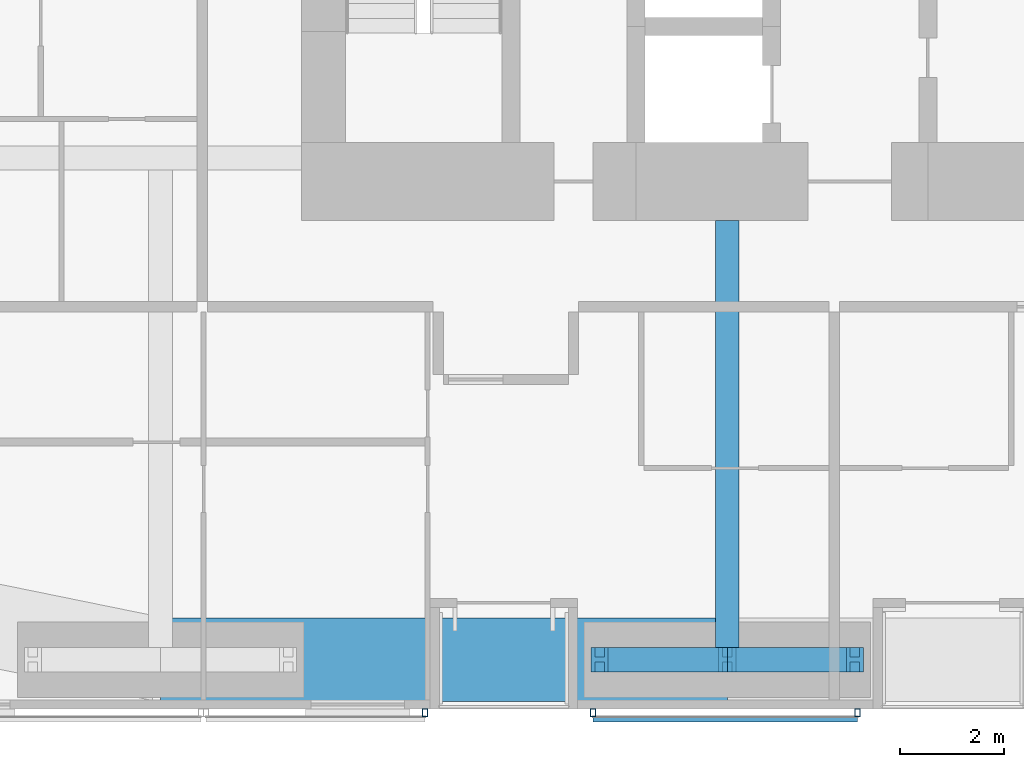
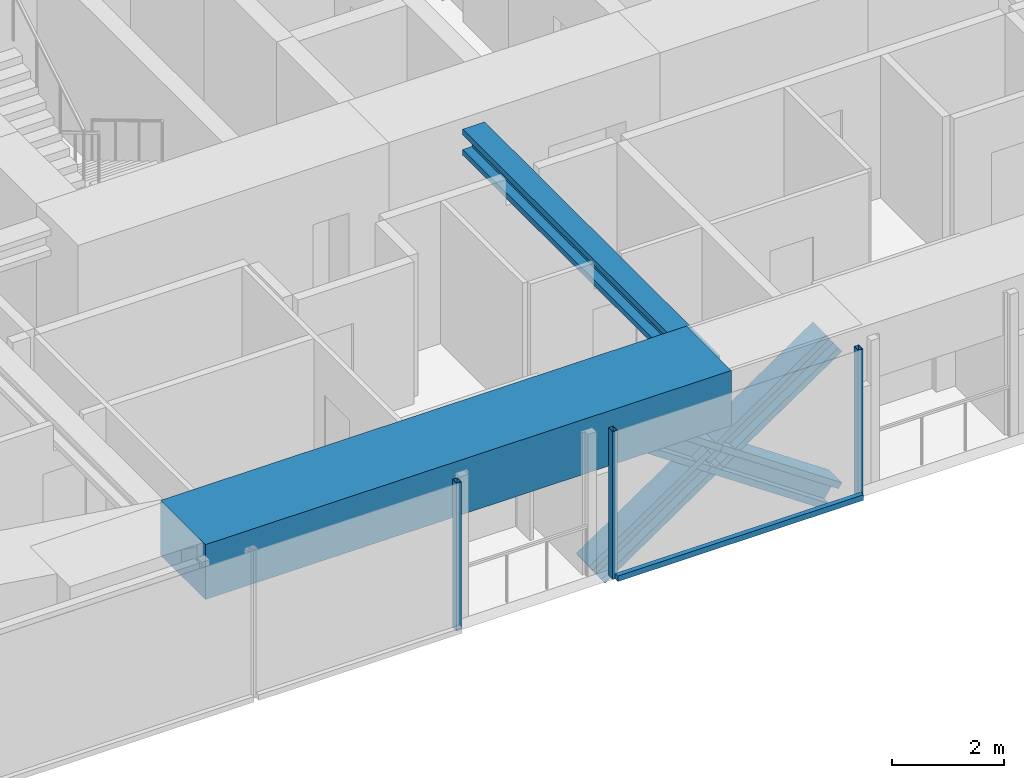
# One storey, part 4 of 24: 8 members, 2 beams, 2 elements without a shape of their own.
"""IFC4 building model written with IfcOpenShell, lengths in metres."""

from ifc_helpers import new_model, si_unit, direction, frame, origin, origin_2d, place, context, subcontext, project, spatial, rectangle, hollow_rectangle, i_section, extrude, material, material_profile, profile_set, type_object, element, aggregate, save


model = new_model("IFC4")

# Units and contexts
model_context = context("Model", 3, precision=1e-05, world=origin(), true_north=direction((0.0, 1.0)))
body_context = subcontext(model_context, "Body", "Model", "MODEL_VIEW")
ifc_project = project(units=[si_unit("LENGTHUNIT", "METRE"), si_unit("AREAUNIT", "SQUARE_METRE"), si_unit("VOLUMEUNIT", "CUBIC_METRE"), si_unit("PLANEANGLEUNIT", "RADIAN"), si_unit("MASSUNIT", "GRAM", prefix="KILO")], contexts=[model_context])

# Site, building, storey
site_placement = place(None, origin())
site = spatial("IfcSite", under=ifc_project, at=site_placement, CompositionType="ELEMENT")
building_placement = place(site_placement, origin())
building = spatial("IfcBuilding", under=site, at=building_placement, Name="Jalousie Tower", CompositionType="ELEMENT")
storey_placement = place(building_placement, frame((0.0, 0.0, 91.449951171875)))
storey = spatial("IfcBuildingStorey", under=building, at=storey_placement, Name="L24", CompositionType="ELEMENT", Elevation=91.449951171875)

# Beam
ifc_material_1 = material(Name="Steel ASTM A992 Grade 50", Category="steel")
ifc_material_profile_1 = material_profile(ifc_material_1, i_section(OverallWidth=0.45458984375, OverallDepth=0.569091796875, WebThickness=0.077880859375, FlangeThickness=0.124755859375, at=origin_2d()), Name="W14X730")
ifc_profile_set_1 = profile_set([ifc_material_profile_1], Name="Steel ASTM A992 Grade 50")
beam_type_1 = type_object("IfcBeamType", Name="LEAN COLLECTOR W14X730", PredefinedType="BEAM", material=ifc_profile_set_1)
beam_1_placement = place(storey_placement, frame((27.75, 0.949951171875, 2.825439453125), z_axis=(0.0, 1.0, 0.0), x_axis=(-1.0, 0.0, 0.0)))
element("IfcBeam", 1, at=beam_1_placement, inside=storey, type_object=beam_type_1, Name="Lean collector under L25", PredefinedType="BEAM", context=body_context, shape_type="SweptSolid", body=[
    extrude(i_section(OverallWidth=0.45458984375, OverallDepth=0.569091796875, WebThickness=0.077880859375, FlangeThickness=0.124755859375, at=origin_2d()), origin(), (0.0, 0.0, 1.0), 8.425048828125),
])

# Members
ifc_material_2 = material(Name="Steel ASTM A992 Grade 50", Category="steel")
ifc_material_profile_2 = material_profile(ifc_material_2, i_section(OverallWidth=0.472412109375, OverallDepth=0.5791015625, WebThickness=0.094970703125, FlangeThickness=0.1298828125, at=origin_2d()), Name="W14X808")
ifc_profile_set_2 = profile_set([ifc_material_profile_2], Name="Steel ASTM A992 Grade 50")
member_type_1 = type_object("IfcMemberType", Name="PERIMETER BRACE W14X808", PredefinedType="BRACE", material=ifc_profile_set_2)
for number, where, z_axis, x_axis, name in (
    (2, (25.300048828125, 0.949951171875, -0.599853515625), (0.825539243753, 0.0, 0.564344714713), (0.0, 1.0, 0.0), "Perimeter brace 03 L24 part 1"),
    (3, (27.75, 0.949951171875, 1.074951171875), (0.825500916831, 0.0, 0.564400776321), (0.0, 1.0, 0.0), "Perimeter brace 03 L24 part 2"),
    (4, (30.199951171875, 0.949951171875, -0.599853515625), (-0.825539243753, 0.0, 0.564344714713), (0.0, -1.0, 0.0), "Perimeter brace 03 L24 part 3"),
    (5, (27.75, 0.949951171875, 1.074951171875), (-0.825500916831, 0.0, 0.564400776321), (0.0, -1.0, 0.0), "Perimeter brace 03 L24 part 4"),
):
    element("IfcMember", number, at=place(storey_placement, frame(where, z_axis=z_axis, x_axis=x_axis)), inside=storey, type_object=member_type_1, Name=name, PredefinedType="BRACE", context=body_context, shape_type="SweptSolid", body=[
        extrude(i_section(OverallWidth=0.472412109375, OverallDepth=0.5791015625, WebThickness=0.094970703125, FlangeThickness=0.1298828125, at=origin_2d()), origin(), (0.0, 0.0, 1.0), 2.9677734375),
    ])

# Beam
ifc_material_3 = material(Name="Concrete f'c 40 MPa", Category="concrete")
ifc_material_profile_3 = material_profile(ifc_material_3, rectangle(XDim=1.60009765625, YDim=1.199951171875, at=origin_2d()), Name="RC 1600x1200")
ifc_profile_set_3 = profile_set([ifc_material_profile_3], Name="Concrete f'c 40 MPa")
beam_type_2 = type_object("IfcBeamType", Name="RC BEAM 1600x1200", PredefinedType="BEAM", material=ifc_profile_set_3)
beam_2_placement = place(storey_placement, frame((16.875, 0.949951171875, 2.75), z_axis=(1.0, 0.0, 0.0), x_axis=(0.0, 1.0, 0.0)))
element("IfcBeam", 6, at=beam_2_placement, inside=storey, type_object=beam_type_2, Name="Edge band beam 02-03 under L25", PredefinedType="BEAM", context=body_context, shape_type="SweptSolid", body=[
    extrude(rectangle(XDim=1.60009765625, YDim=1.199951171875, at=origin_2d()), origin(), (0.0, 0.0, 1.0), 10.875),
])

# Curtain wall, member
ifc_material_4 = material(Name="Perforated aluminium sheet", Category="aluminium")
curtain_wall_type = type_object("IfcCurtainWallType", Name="SOLAR SCREEN SS-1", PredefinedType="USERDEFINED", material=ifc_material_4)
curtain_wall_1_placement = place(storey_placement, origin())
curtain_wall_1 = element("IfcCurtainWall", 7, at=curtain_wall_1_placement, inside=storey, type_object=curtain_wall_type, Name="Solar screen L24", ObjectType="SOLAR SCREEN SS-1", PredefinedType="USERDEFINED")
ifc_material_5 = material(Name="Steel ASTM A500 Grade C", Category="steel")
ifc_material_profile_4 = material_profile(ifc_material_5, hollow_rectangle(XDim=0.1015625, YDim=0.15234375, WallThickness=0.00634765625, at=origin_2d()), Name="HSS6X4X1/4")
ifc_profile_set_4 = profile_set([ifc_material_profile_4], Name="Steel ASTM A500 Grade C")
member_type_2 = type_object("IfcMemberType", Name="SOLAR SCREEN SS-1 MULLION", PredefinedType="MULLION", material=ifc_profile_set_4)
member_1_placement = place(storey_placement, frame((21.949951171875, -0.0712890625, -0.119873046875), z_axis=(0.0, 0.0, 1.0), x_axis=(1.0, 0.0, 0.0)))
member_1 = element("IfcMember", 8, at=member_1_placement, type_object=member_type_2, Name="SS1 post 2", PredefinedType="MULLION", context=body_context, shape_type="SweptSolid", body=[
    extrude(hollow_rectangle(XDim=0.1015625, YDim=0.15234375, WallThickness=0.00634765625, at=origin_2d()), origin(), (0.0, 0.0, 1.0), 3.22998046875),
])
aggregate(curtain_wall_1, [member_1])

# Curtain wall, members
curtain_wall_2_placement = place(storey_placement, origin())
curtain_wall_2 = element("IfcCurtainWall", 9, at=curtain_wall_2_placement, inside=storey, type_object=curtain_wall_type, Name="Solar screen L24", ObjectType="SOLAR SCREEN SS-1", PredefinedType="USERDEFINED")
member_2_placement = place(storey_placement, frame((25.175048828125, -0.0712890625, -0.119873046875), z_axis=(0.0, 0.0, 1.0), x_axis=(1.0, 0.0, 0.0)))
member_2 = element("IfcMember", 10, at=member_2_placement, type_object=member_type_2, Name="SS1 post 1", PredefinedType="MULLION", context=body_context, shape_type="SweptSolid", body=[
    extrude(hollow_rectangle(XDim=0.1015625, YDim=0.15234375, WallThickness=0.00634765625, at=origin_2d()), origin(), (0.0, 0.0, 1.0), 3.22998046875),
])
member_3_placement = place(storey_placement, frame((30.25, -0.0712890625, -0.119873046875), z_axis=(0.0, 0.0, 1.0), x_axis=(1.0, 0.0, 0.0)))
member_3 = element("IfcMember", 11, at=member_3_placement, type_object=member_type_2, Name="SS1 post 2", PredefinedType="MULLION", context=body_context, shape_type="SweptSolid", body=[
    extrude(hollow_rectangle(XDim=0.1015625, YDim=0.15234375, WallThickness=0.00634765625, at=origin_2d()), origin(), (0.0, 0.0, 1.0), 3.22998046875),
])
ifc_material_6 = material(Name="Extruded aluminium screen rail", Category="aluminium")
ifc_material_profile_5 = material_profile(ifc_material_6, rectangle(XDim=0.1015625, YDim=0.1201171875, at=origin_2d()), Name="RAIL 102x120")
ifc_profile_set_5 = profile_set([ifc_material_profile_5], Name="Extruded aluminium screen rail")
member_type_3 = type_object("IfcMemberType", Name="SOLAR SCREEN SS-1 TRANSOM", PredefinedType="USERDEFINED", material=ifc_profile_set_5)
member_4_placement = place(storey_placement, frame((25.175048828125, -0.1982421875, -0.06005859375), z_axis=(1.0, 0.0, 0.0), x_axis=(0.0, 1.0, 0.0)))
member_4 = element("IfcMember", 12, at=member_4_placement, type_object=member_type_3, Name="SS1 rail", ObjectType="TRANSOM", PredefinedType="USERDEFINED", context=body_context, shape_type="SweptSolid", body=[
    extrude(rectangle(XDim=0.1015625, YDim=0.1201171875, at=origin_2d()), origin(), (0.0, 0.0, 1.0), 5.074951171875),
])
aggregate(curtain_wall_2, [member_2, member_3, member_4])

save(model, "model.ifc")
